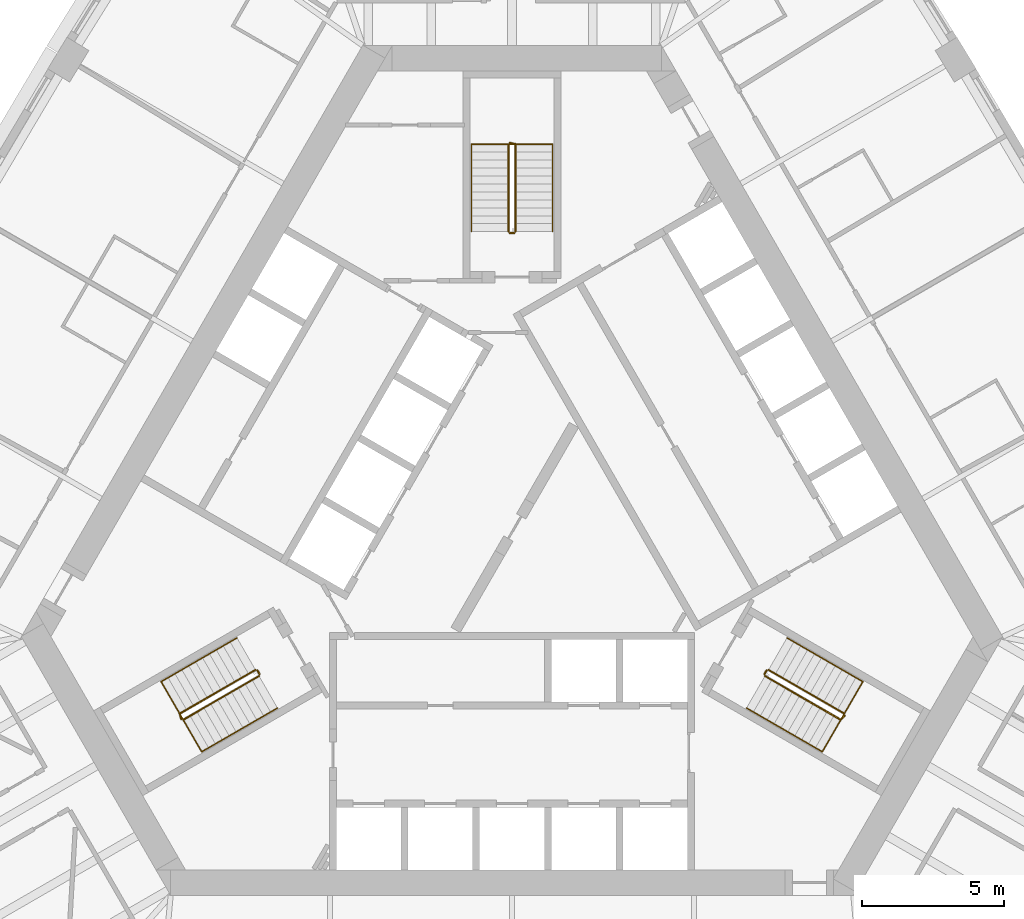
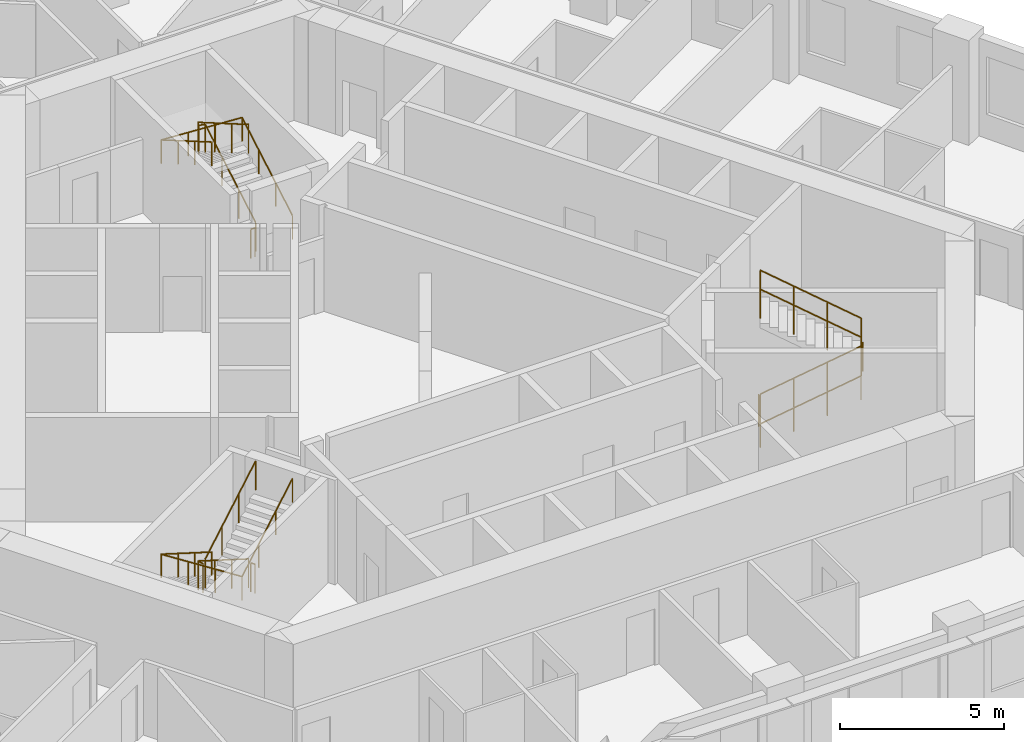
# One storey, part 12 of 12: 12 railings.
"""IFC4 building model written with IfcOpenShell, lengths in metres."""

import ifcopenshell
import ifcopenshell.guid

model = None  # the IFC model being written
_history = None  # IfcOwnerHistory: only IFC2X3 demands one
_inside = {}  # id of a spatial element -> (the spatial element, [elements in it])
_under = {}  # id of a project, library or spatial element -> (it, [spatial elements below it])
_declared = {}  # id of a project -> (the project, [libraries it declares])
_typed = {}  # id of a type object -> (the type object, [elements of that type])
_made_of = {}  # id of a material, layer set ... -> (it, [elements and type objects made of it])


def new_model(schema):
    """Start an empty IFC model of exactly this schema.

    Asked for "IFC4X3", IfcOpenShell would pick the latest addendum, in which some entities
    have other attributes; the version numbers below select the first issue.
    IFC2X3 requires an IfcOwnerHistory on every rooted entity: one is made here for all.
    """
    global model, _history
    if schema == "IFC4X3":
        model = ifcopenshell.file(schema_version=(4, 3, 0, 0))
    else:
        model = ifcopenshell.file(schema=schema)
    _inside.clear()
    _under.clear()
    _declared.clear()
    _typed.clear()
    _made_of.clear()
    _history = None
    if model.schema == "IFC2X3":
        org = make("IfcOrganization", Name="unknown")
        user = make(
            "IfcPersonAndOrganization",
            ThePerson=make("IfcPerson", FamilyName="unknown"),
            TheOrganization=org,
        )
        app = make(
            "IfcApplication",
            ApplicationDeveloper=org,
            Version="unknown",
            ApplicationFullName="unknown",
            ApplicationIdentifier="unknown",
        )
        _history = make(
            "IfcOwnerHistory",
            OwningUser=user,
            OwningApplication=app,
            ChangeAction="ADDED",
            CreationDate=0,
        )
    return model


def make(cls, **values):
    """One entity of the class cls with the attributes given. An attribute that is None is left unset."""
    return model.create_entity(
        cls, **{name: value for name, value in values.items() if value is not None}
    )


def rooted(cls, **values):
    """An entity with a GlobalId (a new one), such as an element, a storey or a relation."""
    return make(cls, GlobalId=ifcopenshell.guid.new(), OwnerHistory=_history, **values)


def si_unit(unit_type, name, prefix=None):
    """IfcSIUnit, for example si_unit("LENGTHUNIT", "METRE", prefix="MILLI")."""
    return make("IfcSIUnit", UnitType=unit_type, Prefix=prefix, Name=name)


def assignment(units):
    """IfcUnitAssignment: the units of a project."""
    return None if units is None else make("IfcUnitAssignment", Units=units)


def point(xyz):
    """IfcCartesianPoint."""
    return None if xyz is None else make("IfcCartesianPoint", Coordinates=xyz)


def direction(xyz):
    """IfcDirection."""
    return None if xyz is None else make("IfcDirection", DirectionRatios=xyz)


def frame(location, z_axis=None, x_axis=None):
    """IfcAxis2Placement3D, a coordinate frame: its origin and axes. An axis left out is left unset."""
    return make(
        "IfcAxis2Placement3D",
        Location=point(location),
        Axis=direction(z_axis),
        RefDirection=direction(x_axis),
    )


def frame_2d(location, x_axis=None):
    """IfcAxis2Placement2D, a coordinate frame in the plane: its origin and x axis."""
    return make(
        "IfcAxis2Placement2D", Location=point(location), RefDirection=direction(x_axis)
    )


def origin():
    """The frame at (0, 0, 0) with its axes left unset."""
    return frame((0.0, 0.0, 0.0))


def origin_2d():
    """The frame at (0, 0) in the plane with its x axis left unset."""
    return frame_2d((0.0, 0.0))


def place(relative_to, where):
    """IfcLocalPlacement: puts the frame where relative to a parent placement (None: the world)."""
    return make(
        "IfcLocalPlacement", PlacementRelTo=relative_to, RelativePlacement=where
    )


def context(
    kind, dimensions, precision=None, world=None, true_north=None, identifier=None
):
    """IfcGeometricRepresentationContext, for example the 3D "Model" context."""
    return make(
        "IfcGeometricRepresentationContext",
        ContextIdentifier=identifier,
        ContextType=kind,
        CoordinateSpaceDimension=dimensions,
        Precision=precision,
        WorldCoordinateSystem=world,
        TrueNorth=true_north,
    )


def subcontext(parent, identifier, kind, view, scale=None):
    """IfcGeometricRepresentationSubContext, for example "Body" below "Model"."""
    return make(
        "IfcGeometricRepresentationSubContext",
        ContextIdentifier=identifier,
        ContextType=kind,
        ParentContext=parent,
        TargetScale=scale,
        TargetView=view,
    )


def project(units=None, contexts=None):
    """IfcProject with its units and contexts."""
    return rooted(
        "IfcProject",
        Name="project",
        RepresentationContexts=contexts,
        UnitsInContext=assignment(units),
    )


def spatial(cls, under=None, at=None, **own):
    """A site, building, storey or space (cls), placed at a placement, below another one or the project."""
    s = rooted(cls, ObjectPlacement=at, **own)
    if under is not None:
        _under.setdefault(under.id(), (under, []))[1].append(s)
    return s


def profile(cls, at=None, kind="AREA", **sizes):
    """A parametric profile (cls). Its sizes go by their IFC names, for example OverallWidth=200.0."""
    return make(cls, ProfileType=kind, Position=at, **sizes)


def circle(**sizes):
    """IfcCircleProfileDef."""
    return profile("IfcCircleProfileDef", **sizes)


def extrude(swept, where, along, depth):
    """IfcExtrudedAreaSolid: the profile swept, set in the frame where, extruded along a direction by depth."""
    return make(
        "IfcExtrudedAreaSolid",
        SweptArea=swept,
        Position=where,
        ExtrudedDirection=direction(along),
        Depth=depth,
    )


def shape(context_of_items, identifier, shape_type, items):
    """IfcShapeRepresentation: the items that make up one representation, for example the "Body"."""
    return make(
        "IfcShapeRepresentation",
        ContextOfItems=context_of_items,
        RepresentationIdentifier=identifier,
        RepresentationType=shape_type,
        Items=items,
    )


def material(Name=None, Category=None):
    """IfcMaterial."""
    return make("IfcMaterial", Name=Name, Category=Category)


def made_of(thing, what):
    """Note that an element or type object is made of a material, layer set ...; save() writes the relation."""
    if what is not None:
        _made_of.setdefault(what.id(), (what, []))[1].append(thing)
    return thing


def type_object(cls, material=None, **own):
    """A type object (cls), such as IfcWallType, which elements share."""
    return made_of(rooted(cls, **own), material)


def element(
    cls,
    number,
    at=None,
    inside=None,
    cuts=None,
    type_object=None,
    material=None,
    context=None,
    identifier="Body",
    shape_type=None,
    held_by="IfcProductDefinitionShape",
    body=None,
    shapes=None,
    **own,
):
    """One element of the class cls, such as IfcWall. Its Tag is "e" and its number.

    at: its placement. inside: the storey or other place that contains it. cuts: it is an
    opening in that element (IfcRelVoidsElement). A single representation is given by context,
    identifier, shape_type and body (its items); several are given by shapes. held_by: the class
    of the entity that holds the representations. save() writes the other relations.
    """
    e = rooted(cls, Tag="e%d" % number, ObjectPlacement=at, **own)
    if body is not None:
        shapes = [shape(context, identifier, shape_type, body)]
    if shapes is not None:
        e.Representation = make(held_by, Representations=shapes)
    if inside is not None:
        _inside.setdefault(inside.id(), (inside, []))[1].append(e)
    if cuts is not None:
        rooted(
            "IfcRelVoidsElement", RelatingBuildingElement=cuts, RelatedOpeningElement=e
        )
    if type_object is not None:
        _typed.setdefault(type_object.id(), (type_object, []))[1].append(e)
    return made_of(e, material)


def aggregate(whole, parts):
    """IfcRelAggregates: a whole, such as a stair, and the parts it consists of."""
    return rooted("IfcRelAggregates", RelatingObject=whole, RelatedObjects=parts)


def save(model, path):
    """Write the relations noted so far, then the file.

    IfcRelAggregates (storeys below a building ...), IfcRelContainedInSpatialStructure (elements
    in a storey), IfcRelDefinesByType, IfcRelAssociatesMaterial and IfcRelDeclares: one each for
    every whole, place, type object, material and project.
    """
    for whole, parts in _under.values():
        aggregate(whole, parts)
    for where, things in _inside.values():
        rooted(
            "IfcRelContainedInSpatialStructure",
            RelatedElements=things,
            RelatingStructure=where,
        )
    for kind, things in _typed.values():
        rooted("IfcRelDefinesByType", RelatedObjects=things, RelatingType=kind)
    for what, things in _made_of.values():
        rooted("IfcRelAssociatesMaterial", RelatedObjects=things, RelatingMaterial=what)
    for by, libraries in _declared.values():
        rooted("IfcRelDeclares", RelatingContext=by, RelatedDefinitions=libraries)
    model.write(path)


model = new_model("IFC4")

# Units and contexts
model_context = context("Model", 3, precision=1e-05, world=origin(), true_north=direction((0.0, 1.0)))
body_context = subcontext(model_context, "Body", "Model", "MODEL_VIEW")
ifc_project = project(units=[si_unit("LENGTHUNIT", "METRE"), si_unit("AREAUNIT", "SQUARE_METRE"), si_unit("VOLUMEUNIT", "CUBIC_METRE"), si_unit("PLANEANGLEUNIT", "RADIAN"), si_unit("MASSUNIT", "GRAM", prefix="KILO")], contexts=[model_context])

# Site, building, storey
site_placement = place(None, origin())
site = spatial("IfcSite", under=ifc_project, at=site_placement, CompositionType="ELEMENT")
building_placement = place(site_placement, origin())
building = spatial("IfcBuilding", under=site, at=building_placement, Name="Mestral Congress Tower", CompositionType="ELEMENT")
storey_placement = place(building_placement, frame((0.0, 0.0, 107.10009765625)))
storey = spatial("IfcBuildingStorey", under=building, at=storey_placement, Name="L25", CompositionType="ELEMENT", Elevation=107.10009765625)

# Railings
ifc_material_1 = material(Name="Steel balustrade", Category="steel")
railing_type_1 = type_object("IfcRailingType", Name="Stair guard 1100", PredefinedType="GUARDRAIL", material=ifc_material_1)
railing_1_placement = place(storey_placement, frame((8.90087890625, -5.283203125, 0.162353515625)))
element("IfcRailing", 1, at=railing_1_placement, inside=storey, type_object=railing_type_1, Name="L25 ST1 stair guard 1", PredefinedType="GUARDRAIL", context=body_context, shape_type="SweptSolid", body=[
    extrude(circle(Radius=0.02392578125, at=origin_2d()), frame((0.0, 0.0, 1.076171875), z_axis=(0.748993966903, -0.432462603499, 0.501980212875), x_axis=(0.500026652407, 0.866010015463, 0.0)), (0.0, 0.0, 1.0), 3.56103515625),
    extrude(circle(Radius=0.02392578125, at=origin_2d()), frame((2.667236328125, -1.5400390625, 2.86376953125), z_axis=(0.695164929852, 0.718850276695, 0.0), x_axis=(-0.718850276695, 0.695164929852, 0.0)), (0.0, 0.0, 1.0), 0.2060546875),
    extrude(circle(Radius=0.02099609375, at=origin_2d()), origin(), (0.0, 0.0, 1.0), 1.052001953125),
    extrude(circle(Radius=0.02099609375, at=origin_2d()), frame((0.88916015625, -0.513427734375, 0.595947265625)), (0.0, 0.0, 1.0), 1.052001953125),
    extrude(circle(Radius=0.02099609375, at=origin_2d()), frame((1.778076171875, -1.026611328125, 1.191650390625)), (0.0, 0.0, 1.0), 1.052001953125),
    extrude(circle(Radius=0.02099609375, at=origin_2d()), frame((2.667236328125, -1.5400390625, 1.78759765625)), (0.0, 0.0, 1.0), 1.052001953125),
    extrude(circle(Radius=0.02099609375, at=origin_2d()), frame((2.810546875, -1.391845703125, 1.78759765625)), (0.0, 0.0, 1.0), 1.052001953125),
])
railing_2_placement = place(storey_placement, frame((11.693115234375, -6.606689453125, 2.1123046875)))
element("IfcRailing", 2, at=railing_2_placement, inside=storey, type_object=railing_type_1, Name="L25 ST1 stair guard 2", PredefinedType="GUARDRAIL", context=body_context, shape_type="SweptSolid", body=[
    extrude(circle(Radius=0.02392578125, at=origin_2d()), frame((0.0, 0.0, 1.076171875), z_axis=(-0.748993966903, 0.432462603499, 0.501980212875), x_axis=(-0.500026652407, -0.866010015463, 0.0)), (0.0, 0.0, 1.0), 3.56103515625),
    extrude(circle(Radius=0.02099609375, at=origin_2d()), origin(), (0.0, 0.0, 1.0), 1.052001953125),
    extrude(circle(Radius=0.02099609375, at=origin_2d()), frame((-0.88916015625, 0.513427734375, 0.595947265625)), (0.0, 0.0, 1.0), 1.052001953125),
    extrude(circle(Radius=0.02099609375, at=origin_2d()), frame((-1.778076171875, 1.026611328125, 1.191650390625)), (0.0, 0.0, 1.0), 1.052001953125),
    extrude(circle(Radius=0.02099609375, at=origin_2d()), frame((-2.667236328125, 1.5400390625, 1.78759765625)), (0.0, 0.0, 1.0), 1.052001953125),
])
railing_3_placement = place(storey_placement, frame((8.882568359375, -5.21484375, 0.0)))
element("IfcRailing", 3, at=railing_3_placement, inside=storey, type_object=railing_type_1, Name="L25 ST1 stair guard 3", PredefinedType="GUARDRAIL", context=body_context, shape_type="SweptSolid", body=[
    extrude(circle(Radius=0.02392578125, at=origin_2d()), frame((0.0, 0.0, 1.076171875), z_axis=(0.499816412211, 0.866131372301, 0.0), x_axis=(-0.866131372301, 0.499816412211, 0.0)), (0.0, 0.0, 1.0), 0.14990234375),
    extrude(circle(Radius=0.02099609375, at=origin_2d()), origin(), (0.0, 0.0, 1.0), 1.052001953125),
    extrude(circle(Radius=0.02099609375, at=origin_2d()), frame((0.074951171875, 0.1298828125, 0.0)), (0.0, 0.0, 1.0), 1.052001953125),
])
railing_4_placement = place(storey_placement, frame((0.125, 10.35009765625, 0.162353515625)))
element("IfcRailing", 4, at=railing_4_placement, inside=storey, type_object=railing_type_1, Name="L25 ST2 stair guard 1", PredefinedType="GUARDRAIL", context=body_context, shape_type="SweptSolid", body=[
    extrude(circle(Radius=0.02392578125, at=origin_2d()), frame((0.0, 0.0, 1.076171875), z_axis=(0.0, 0.864873446163, 0.501989962173), x_axis=(-1.0, 0.0, 0.0)), (0.0, 0.0, 1.0), 3.56103515625),
    extrude(circle(Radius=0.02392578125, at=origin_2d()), frame((0.0, 3.079833984375, 2.86376953125), z_axis=(-0.970072785993, 0.242814311512, 0.0), x_axis=(-0.242814311512, -0.970072785993, 0.0)), (0.0, 0.0, 1.0), 0.2060546875),
    extrude(circle(Radius=0.02099609375, at=origin_2d()), origin(), (0.0, 0.0, 1.0), 1.052001953125),
    extrude(circle(Radius=0.02099609375, at=origin_2d()), frame((0.0, 1.026611328125, 0.595947265625)), (0.0, 0.0, 1.0), 1.052001953125),
    extrude(circle(Radius=0.02099609375, at=origin_2d()), frame((0.0, 2.05322265625, 1.191650390625)), (0.0, 0.0, 1.0), 1.052001953125),
    extrude(circle(Radius=0.02099609375, at=origin_2d()), frame((0.0, 3.079833984375, 1.78759765625)), (0.0, 0.0, 1.0), 1.052001953125),
    extrude(circle(Radius=0.02099609375, at=origin_2d()), frame((-0.199951171875, 3.1298828125, 1.78759765625)), (0.0, 0.0, 1.0), 1.052001953125),
])
railing_5_placement = place(storey_placement, frame((-0.125, 13.429931640625, 2.1123046875)))
element("IfcRailing", 5, at=railing_5_placement, inside=storey, type_object=railing_type_1, Name="L25 ST2 stair guard 2", PredefinedType="GUARDRAIL", context=body_context, shape_type="SweptSolid", body=[
    extrude(circle(Radius=0.02392578125, at=origin_2d()), frame((0.0, 0.0, 1.076171875), z_axis=(0.0, -0.864873446163, 0.501989962173), x_axis=(1.0, 0.0, 0.0)), (0.0, 0.0, 1.0), 3.56103515625),
    extrude(circle(Radius=0.02099609375, at=origin_2d()), origin(), (0.0, 0.0, 1.0), 1.052001953125),
    extrude(circle(Radius=0.02099609375, at=origin_2d()), frame((0.0, -1.026611328125, 0.595947265625)), (0.0, 0.0, 1.0), 1.052001953125),
    extrude(circle(Radius=0.02099609375, at=origin_2d()), frame((0.0, -2.05322265625, 1.191650390625)), (0.0, 0.0, 1.0), 1.052001953125),
    extrude(circle(Radius=0.02099609375, at=origin_2d()), frame((0.0, -3.079833984375, 1.78759765625)), (0.0, 0.0, 1.0), 1.052001953125),
])
railing_6_placement = place(storey_placement, frame((0.074951171875, 10.300048828125, 0.0)))
element("IfcRailing", 6, at=railing_6_placement, inside=storey, type_object=railing_type_1, Name="L25 ST2 stair guard 3", PredefinedType="GUARDRAIL", context=body_context, shape_type="SweptSolid", body=[
    extrude(circle(Radius=0.02392578125, at=origin_2d()), frame((0.0, 0.0, 1.076171875), z_axis=(-1.0, 0.0, 0.0), x_axis=(0.0, -1.0, 0.0)), (0.0, 0.0, 1.0), 0.14990234375),
    extrude(circle(Radius=0.02099609375, at=origin_2d()), origin(), (0.0, 0.0, 1.0), 1.052001953125),
    extrude(circle(Radius=0.02099609375, at=origin_2d()), frame((-0.14990234375, 0.0, 0.0)), (0.0, 0.0, 1.0), 1.052001953125),
])
railing_7_placement = place(storey_placement, frame((-9.02587890625, -5.066650390625, 0.162353515625)))
element("IfcRailing", 7, at=railing_7_placement, inside=storey, type_object=railing_type_1, Name="L25 ST3 stair guard 1", PredefinedType="GUARDRAIL", context=body_context, shape_type="SweptSolid", body=[
    extrude(circle(Radius=0.02392578125, at=origin_2d()), frame((0.0, 0.0, 1.076171875), z_axis=(-0.748993966903, -0.432462603499, 0.501980212875), x_axis=(0.500026652407, -0.866010015463, 0.0)), (0.0, 0.0, 1.0), 3.56103515625),
    extrude(circle(Radius=0.02392578125, at=origin_2d()), frame((-2.667236328125, -1.5400390625, 2.86376953125), z_axis=(0.274721127897, -0.961523947641, 0.0), x_axis=(0.961523947641, 0.274721127897, 0.0)), (0.0, 0.0, 1.0), 0.2060546875),
    extrude(circle(Radius=0.02099609375, at=origin_2d()), origin(), (0.0, 0.0, 1.0), 1.052001953125),
    extrude(circle(Radius=0.02099609375, at=origin_2d()), frame((-0.88916015625, -0.513427734375, 0.595947265625)), (0.0, 0.0, 1.0), 1.052001953125),
    extrude(circle(Radius=0.02099609375, at=origin_2d()), frame((-1.778076171875, -1.026611328125, 1.191650390625)), (0.0, 0.0, 1.0), 1.052001953125),
    extrude(circle(Radius=0.02099609375, at=origin_2d()), frame((-2.667236328125, -1.5400390625, 1.78759765625)), (0.0, 0.0, 1.0), 1.052001953125),
    extrude(circle(Radius=0.02099609375, at=origin_2d()), frame((-2.610595703125, -1.73828125, 1.78759765625)), (0.0, 0.0, 1.0), 1.052001953125),
])
railing_8_placement = place(storey_placement, frame((-11.568115234375, -6.8232421875, 2.1123046875)))
element("IfcRailing", 8, at=railing_8_placement, inside=storey, type_object=railing_type_1, Name="L25 ST3 stair guard 2", PredefinedType="GUARDRAIL", context=body_context, shape_type="SweptSolid", body=[
    extrude(circle(Radius=0.02392578125, at=origin_2d()), frame((0.0, 0.0, 1.076171875), z_axis=(0.748993966903, 0.432462603499, 0.501980212875), x_axis=(-0.500026652407, 0.866010015463, 0.0)), (0.0, 0.0, 1.0), 3.56103515625),
    extrude(circle(Radius=0.02099609375, at=origin_2d()), origin(), (0.0, 0.0, 1.0), 1.052001953125),
    extrude(circle(Radius=0.02099609375, at=origin_2d()), frame((0.88916015625, 0.513427734375, 0.595947265625)), (0.0, 0.0, 1.0), 1.052001953125),
    extrude(circle(Radius=0.02099609375, at=origin_2d()), frame((1.778076171875, 1.026611328125, 1.191650390625)), (0.0, 0.0, 1.0), 1.052001953125),
    extrude(circle(Radius=0.02099609375, at=origin_2d()), frame((2.667236328125, 1.5400390625, 1.78759765625)), (0.0, 0.0, 1.0), 1.052001953125),
])
railing_9_placement = place(storey_placement, frame((-8.95751953125, -5.0849609375, 0.0)))
element("IfcRailing", 9, at=railing_9_placement, inside=storey, type_object=railing_type_1, Name="L25 ST3 stair guard 3", PredefinedType="GUARDRAIL", context=body_context, shape_type="SweptSolid", body=[
    extrude(circle(Radius=0.02392578125, at=origin_2d()), frame((0.0, 0.0, 1.076171875), z_axis=(0.499816412211, -0.866131372301, 0.0), x_axis=(0.866131372301, 0.499816412211, 0.0)), (0.0, 0.0, 1.0), 0.14990234375),
    extrude(circle(Radius=0.02099609375, at=origin_2d()), origin(), (0.0, 0.0, 1.0), 1.052001953125),
    extrude(circle(Radius=0.02099609375, at=origin_2d()), frame((0.074951171875, -0.1298828125, 0.0)), (0.0, 0.0, 1.0), 1.052001953125),
])
ifc_material_2 = material(Name="Steel handrail", Category="steel")
railing_type_2 = type_object("IfcRailingType", Name="Stair handrail 900", PredefinedType="HANDRAIL", material=ifc_material_2)
railing_10_placement = place(storey_placement, frame((8.2509765625, -6.4091796875, 0.162353515625)))
element("IfcRailing", 10, at=railing_10_placement, inside=storey, type_object=railing_type_2, Name="L25 ST1 stair handrail 1", PredefinedType="HANDRAIL", context=body_context, shape_type="SweptSolid", body=[
    extrude(circle(Radius=0.02392578125, at=origin_2d()), frame((0.0, 0.0, 0.8759765625), z_axis=(0.749016172816, -0.432406865167, 0.50199509541), x_axis=(0.499967199496, 0.866044340336, 0.0)), (0.0, 0.0, 1.0), 3.56103515625),
    extrude(circle(Radius=0.02392578125, at=origin_2d()), frame((2.667236328125, -1.539794921875, 2.66357421875), z_axis=(0.499226936105, 0.864602552182, 0.056876120012), x_axis=(-0.866004402611, 0.500036373335, 0.0)), (0.0, 0.0, 1.0), 2.8544921875),
    extrude(circle(Radius=0.02392578125, at=origin_2d()), frame((4.09228515625, 0.92822265625, 2.82568359375), z_axis=(-0.74902406201, 0.432440397507, 0.501954437309), x_axis=(-0.499992328818, -0.866029832698, 0.0)), (0.0, 0.0, 1.0), 3.561279296875),
    extrude(circle(Radius=0.02099609375, at=origin_2d()), origin(), (0.0, 0.0, 1.0), 0.851806640625),
    extrude(circle(Radius=0.02099609375, at=origin_2d()), frame((0.88916015625, -0.51318359375, 0.595947265625)), (0.0, 0.0, 1.0), 0.851806640625),
    extrude(circle(Radius=0.02099609375, at=origin_2d()), frame((1.778076171875, -1.026611328125, 1.191650390625)), (0.0, 0.0, 1.0), 0.851806640625),
    extrude(circle(Radius=0.02099609375, at=origin_2d()), frame((2.667236328125, -1.539794921875, 1.78759765625)), (0.0, 0.0, 1.0), 0.851806640625),
    extrude(circle(Radius=0.02099609375, at=origin_2d()), frame((3.142333984375, -0.717041015625, 1.841796875)), (0.0, 0.0, 1.0), 0.851806640625),
    extrude(circle(Radius=0.02099609375, at=origin_2d()), frame((3.6171875, 0.10546875, 1.895751953125)), (0.0, 0.0, 1.0), 0.851806640625),
    extrude(circle(Radius=0.02099609375, at=origin_2d()), frame((4.09228515625, 0.92822265625, 1.949951171875)), (0.0, 0.0, 1.0), 0.851806640625),
    extrude(circle(Radius=0.02099609375, at=origin_2d()), frame((3.203125, 1.441650390625, 2.5458984375)), (0.0, 0.0, 1.0), 0.851806640625),
    extrude(circle(Radius=0.02099609375, at=origin_2d()), frame((2.31396484375, 1.954833984375, 3.1416015625)), (0.0, 0.0, 1.0), 0.851806640625),
    extrude(circle(Radius=0.02099609375, at=origin_2d()), frame((1.4248046875, 2.46826171875, 3.737548828125)), (0.0, 0.0, 1.0), 0.851806640625),
])
railing_11_placement = place(storey_placement, frame((1.425048828125, 10.35009765625, 0.162353515625)))
element("IfcRailing", 11, at=railing_11_placement, inside=storey, type_object=railing_type_2, Name="L25 ST2 stair handrail 1", PredefinedType="HANDRAIL", context=body_context, shape_type="SweptSolid", body=[
    extrude(circle(Radius=0.02392578125, at=origin_2d()), frame((0.0, 0.0, 0.8759765625), z_axis=(0.0, 0.864873446163, 0.501989962173), x_axis=(-1.0, 0.0, 0.0)), (0.0, 0.0, 1.0), 3.56103515625),
    extrude(circle(Radius=0.02392578125, at=origin_2d()), frame((0.0, 3.079833984375, 2.66357421875), z_axis=(-0.998381478221, 0.0, 0.056871996147), x_axis=(0.0, -1.0, 0.0)), (0.0, 0.0, 1.0), 2.854736328125),
    extrude(circle(Radius=0.02392578125, at=origin_2d()), frame((-2.85009765625, 3.079833984375, 2.82568359375), z_axis=(0.0, -0.864873446163, 0.501989962173), x_axis=(1.0, 0.0, 0.0)), (0.0, 0.0, 1.0), 3.56103515625),
    extrude(circle(Radius=0.02099609375, at=origin_2d()), origin(), (0.0, 0.0, 1.0), 0.851806640625),
    extrude(circle(Radius=0.02099609375, at=origin_2d()), frame((0.0, 1.026611328125, 0.595947265625)), (0.0, 0.0, 1.0), 0.851806640625),
    extrude(circle(Radius=0.02099609375, at=origin_2d()), frame((0.0, 2.05322265625, 1.191650390625)), (0.0, 0.0, 1.0), 0.851806640625),
    extrude(circle(Radius=0.02099609375, at=origin_2d()), frame((0.0, 3.079833984375, 1.78759765625)), (0.0, 0.0, 1.0), 0.851806640625),
    extrude(circle(Radius=0.02099609375, at=origin_2d()), frame((-0.949951171875, 3.079833984375, 1.841796875)), (0.0, 0.0, 1.0), 0.851806640625),
    extrude(circle(Radius=0.02099609375, at=origin_2d()), frame((-1.900146484375, 3.079833984375, 1.895751953125)), (0.0, 0.0, 1.0), 0.851806640625),
    extrude(circle(Radius=0.02099609375, at=origin_2d()), frame((-2.85009765625, 3.079833984375, 1.949951171875)), (0.0, 0.0, 1.0), 0.851806640625),
    extrude(circle(Radius=0.02099609375, at=origin_2d()), frame((-2.85009765625, 2.05322265625, 2.5458984375)), (0.0, 0.0, 1.0), 0.851806640625),
    extrude(circle(Radius=0.02099609375, at=origin_2d()), frame((-2.85009765625, 1.026611328125, 3.1416015625)), (0.0, 0.0, 1.0), 0.851806640625),
    extrude(circle(Radius=0.02099609375, at=origin_2d()), frame((-2.85009765625, 0.0, 3.737548828125)), (0.0, 0.0, 1.0), 0.851806640625),
])
railing_12_placement = place(storey_placement, frame((-9.67578125, -3.94091796875, 0.162353515625)))
element("IfcRailing", 12, at=railing_12_placement, inside=storey, type_object=railing_type_2, Name="L25 ST3 stair handrail 1", PredefinedType="HANDRAIL", context=body_context, shape_type="SweptSolid", body=[
    extrude(circle(Radius=0.02392578125, at=origin_2d()), frame((0.0, 0.0, 0.8759765625), z_axis=(-0.74902406201, -0.432440397507, 0.501954437309), x_axis=(0.499992328818, -0.866029832698, 0.0)), (0.0, 0.0, 1.0), 3.561279296875),
    extrude(circle(Radius=0.02392578125, at=origin_2d()), frame((-2.66748046875, -1.5400390625, 2.66357421875), z_axis=(0.499226936105, -0.864602552182, 0.056876120012), x_axis=(0.866004402611, 0.500036373335, 0.0)), (0.0, 0.0, 1.0), 2.8544921875),
    extrude(circle(Radius=0.02392578125, at=origin_2d()), frame((-1.242431640625, -4.008056640625, 2.82568359375), z_axis=(0.749016172816, 0.432406865167, 0.50199509541), x_axis=(-0.499967199496, 0.866044340336, 0.0)), (0.0, 0.0, 1.0), 3.56103515625),
    extrude(circle(Radius=0.02099609375, at=origin_2d()), origin(), (0.0, 0.0, 1.0), 0.851806640625),
    extrude(circle(Radius=0.02099609375, at=origin_2d()), frame((-0.88916015625, -0.513427734375, 0.595947265625)), (0.0, 0.0, 1.0), 0.851806640625),
    extrude(circle(Radius=0.02099609375, at=origin_2d()), frame((-1.7783203125, -1.026611328125, 1.191650390625)), (0.0, 0.0, 1.0), 0.851806640625),
    extrude(circle(Radius=0.02099609375, at=origin_2d()), frame((-2.66748046875, -1.5400390625, 1.78759765625)), (0.0, 0.0, 1.0), 0.851806640625),
    extrude(circle(Radius=0.02099609375, at=origin_2d()), frame((-2.1923828125, -2.36279296875, 1.841796875)), (0.0, 0.0, 1.0), 0.851806640625),
    extrude(circle(Radius=0.02099609375, at=origin_2d()), frame((-1.717529296875, -3.185302734375, 1.895751953125)), (0.0, 0.0, 1.0), 0.851806640625),
    extrude(circle(Radius=0.02099609375, at=origin_2d()), frame((-1.242431640625, -4.008056640625, 1.949951171875)), (0.0, 0.0, 1.0), 0.851806640625),
    extrude(circle(Radius=0.02099609375, at=origin_2d()), frame((-0.353271484375, -3.494873046875, 2.5458984375)), (0.0, 0.0, 1.0), 0.851806640625),
    extrude(circle(Radius=0.02099609375, at=origin_2d()), frame((0.53564453125, -2.9814453125, 3.1416015625)), (0.0, 0.0, 1.0), 0.851806640625),
    extrude(circle(Radius=0.02099609375, at=origin_2d()), frame((1.4248046875, -2.46826171875, 3.737548828125)), (0.0, 0.0, 1.0), 0.851806640625),
])

save(model, "model.ifc")
